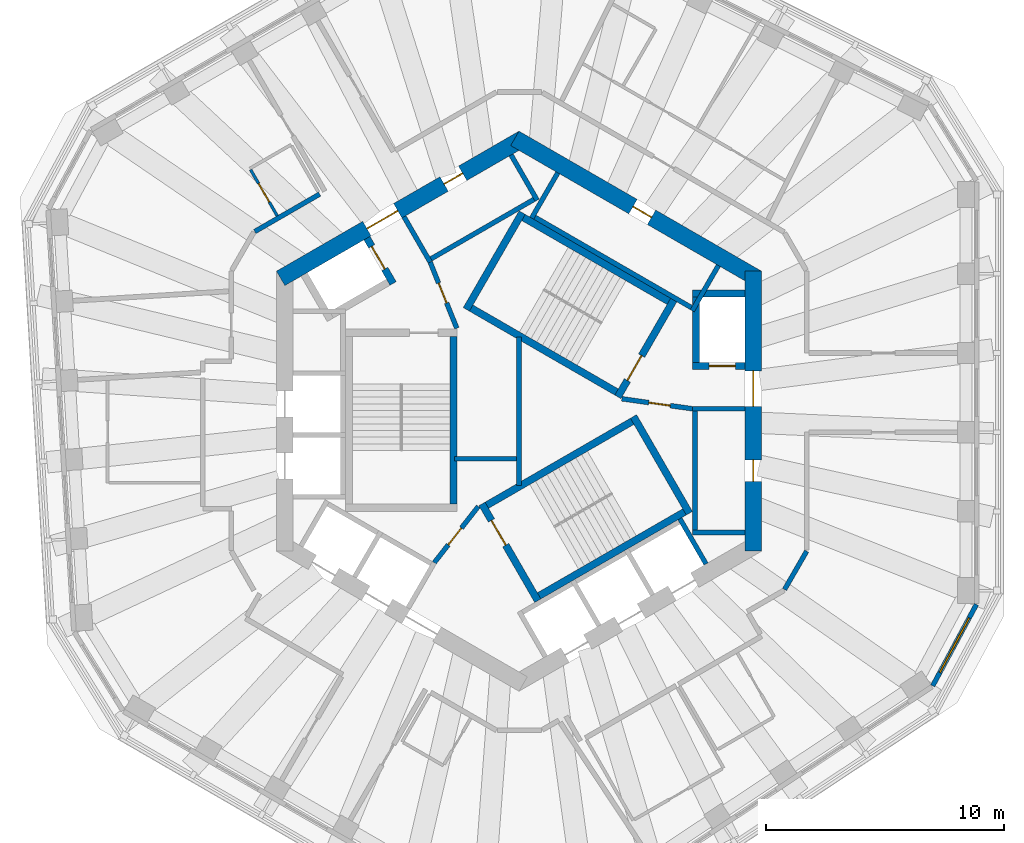
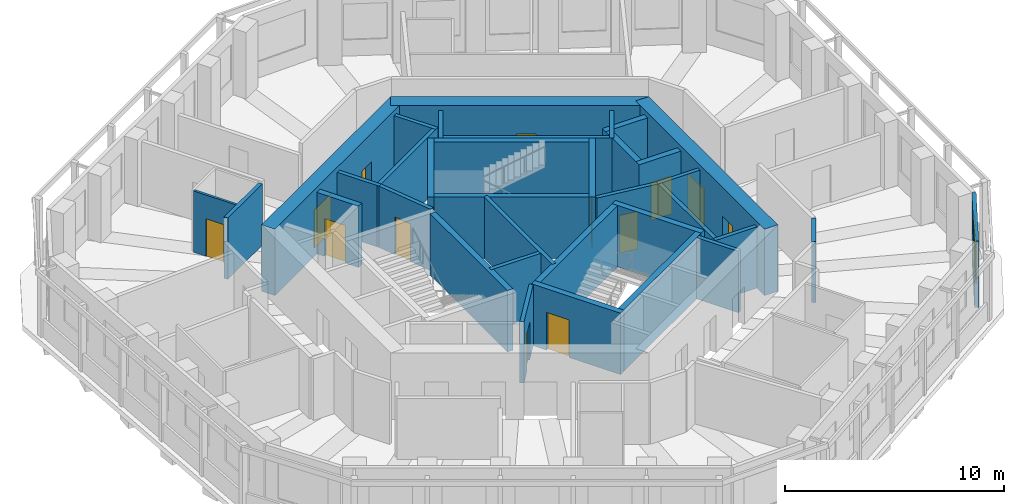
# One storey, part 6 of 11: 35 walls, 13 doors, 1 window, 14 openings.
"""IFC4 building model written with IfcOpenShell, lengths in metres."""

from ifc_helpers import new_model, si_unit, direction, frame, frame_2d, origin, place, context, subcontext, project, spatial, rectangle, extrude, material, layer, layer_set, type_object, element, fill, save


model = new_model("IFC4")

# Units and contexts
model_context = context("Model", 3, precision=1e-05, world=origin(), true_north=direction((0.0, 1.0)))
body_context = subcontext(model_context, "Body", "Model", "MODEL_VIEW")
ifc_project = project(units=[si_unit("LENGTHUNIT", "METRE"), si_unit("AREAUNIT", "SQUARE_METRE"), si_unit("VOLUMEUNIT", "CUBIC_METRE"), si_unit("PLANEANGLEUNIT", "RADIAN"), si_unit("MASSUNIT", "GRAM", prefix="KILO")], contexts=[model_context])

# Site, building, storey
site_placement = place(None, origin())
site = spatial("IfcSite", under=ifc_project, at=site_placement, CompositionType="ELEMENT")
building_placement = place(site_placement, origin())
building = spatial("IfcBuilding", under=site, at=building_placement, Name="Vanh Sen Convention Tower", CompositionType="ELEMENT")
storey_placement = place(building_placement, frame((0.0, 0.0, 259.800048828125)))
storey = spatial("IfcBuildingStorey", under=building, at=storey_placement, Name="L64", CompositionType="ELEMENT", Elevation=259.800048828125)

# Wall, opening, door
ifc_material_1 = material(Name="Moisture-resistant gypsum board on steel studs", Category="steel")
ifc_layer_1 = layer(ifc_material_1, 0.1201171875)
ifc_layer_set_1 = layer_set([ifc_layer_1], Name="Moisture-resistant gypsum board on steel studs")
wall_type_1 = type_object("IfcWallType", Name="Bathroom partition 120", PredefinedType="PARTITIONING", material=ifc_layer_set_1)
wall_1_placement = place(storey_placement, frame((-10.168701171875, 8.21630859375, 0.0), z_axis=(0.0, 0.0, 1.0), x_axis=(-0.500030632641, 0.866007717299, 0.0)))
wall_1 = element("IfcWall", 1, at=wall_1_placement, inside=storey, type_object=wall_type_1, Name="Bathroom partition 120", PredefinedType="PARTITIONING", context=body_context, shape_type="SweptSolid", body=[
    extrude(rectangle(XDim=2.239990234375, YDim=0.1201171875, at=frame_2d((1.1201171875, 0.0))), origin(), (0.0, 0.0, 1.0), 3.419921875),
])
opening_1_placement = place(wall_1_placement, frame((0.669921875, 0.0, 0.0)))
opening_1 = element("IfcOpeningElement", 2, at=opening_1_placement, cuts=wall_1, Name="Opening D64108", PredefinedType="OPENING", context=body_context, shape_type="SweptSolid", body=[
    extrude(rectangle(XDim=0.89990234375, YDim=2.10009765625, at=frame_2d((0.449951171875, 1.050048828125))), frame((0.0, 0.070068359375, 0.0), z_axis=(0.0, -1.0, 0.0), x_axis=(1.0, 0.0, 0.0)), (0.0, 0.0, 1.0), 0.14013671875),
])
ifc_material_2 = material(Name="Laminate door in steel frame", Category="steel")
door_type_1 = type_object("IfcDoorType", Name="Room internal door 900", OperationType="SINGLE_SWING_LEFT", PredefinedType="DOOR", material=ifc_material_2)
door_1_placement = place(opening_1_placement, origin())
door_1 = element("IfcDoor", 3, at=door_1_placement, inside=storey, type_object=door_type_1, Name="Internal room door D64108", OperationType="SINGLE_SWING_LEFT", OverallHeight=2.10009765625, OverallWidth=0.89990234375, PredefinedType="DOOR", context=body_context, shape_type="SweptSolid", body=[
    extrude(rectangle(XDim=0.89990234375, YDim=2.10009765625, at=frame_2d((0.449951171875, 1.050048828125))), frame((0.0, 0.02490234375, 0.0), z_axis=(0.0, -1.0, 0.0), x_axis=(1.0, 0.0, 0.0)), (0.0, 0.0, 1.0), 0.050048828125),
])
fill(opening_1, door_1)

# Wall, openings, doors
ifc_material_3 = material(Name="Concrete C60/75", Category="concrete")
ifc_layer_2 = layer(ifc_material_3, 0.699951171875)
ifc_layer_set_2 = layer_set([ifc_layer_2], Name="Concrete C60/75")
wall_type_2 = type_object("IfcWallType", Name="Core outer wall 700 C60/75", PredefinedType="SHEAR", material=ifc_layer_set_2)
wall_2_placement = place(storey_placement, frame((9.85009765625, -5.888916015625, 0.0), z_axis=(0.0, 0.0, 1.0), x_axis=(0.0, 1.0, 0.0)))
wall_2 = element("IfcWall", 4, at=wall_2_placement, inside=storey, type_object=wall_type_2, Name="Core wall face E L64", PredefinedType="SHEAR", context=body_context, shape_type="SweptSolid", body=[
    extrude(rectangle(XDim=11.77783203125, YDim=0.699951171875, at=frame_2d((5.888916015625, 0.0))), origin(), (0.0, 0.0, 1.0), 3.699951171875),
])
opening_2_placement = place(wall_2_placement, frame((6.089111328125, 0.0, 0.0)))
opening_2 = element("IfcOpeningElement", 5, at=opening_2_placement, cuts=wall_2, Name="Opening D64001", PredefinedType="OPENING", context=body_context, shape_type="SweptSolid", body=[
    extrude(rectangle(XDim=1.5, YDim=2.10009765625, at=frame_2d((0.75, 1.050048828125))), frame((0.0, 0.35986328125, 0.0), z_axis=(0.0, -1.0, 0.0), x_axis=(1.0, 0.0, 0.0)), (0.0, 0.0, 1.0), 0.719970703125),
])
opening_3_placement = place(wall_2_placement, frame((2.93896484375, 0.0, 0.0)))
opening_3 = element("IfcOpeningElement", 6, at=opening_3_placement, cuts=wall_2, Name="Opening D64010", PredefinedType="OPENING", context=body_context, shape_type="SweptSolid", body=[
    extrude(rectangle(XDim=0.89990234375, YDim=2.10009765625, at=frame_2d((0.449951171875, 1.050048828125))), frame((0.0, 0.35986328125, 0.0), z_axis=(0.0, -1.0, 0.0), x_axis=(1.0, 0.0, 0.0)), (0.0, 0.0, 1.0), 0.719970703125),
])
ifc_material_4 = material(Name="Steel S355", Category="steel")
door_type_2 = type_object("IfcDoorType", Name="Plant door 900", OperationType="SINGLE_SWING_LEFT", PredefinedType="DOOR", material=ifc_material_4)
door_2_placement = place(opening_3_placement, origin())
door_2 = element("IfcDoor", 7, at=door_2_placement, inside=storey, type_object=door_type_2, Name="Plant door D64010", OperationType="SINGLE_SWING_LEFT", OverallHeight=2.10009765625, OverallWidth=0.89990234375, PredefinedType="DOOR", context=body_context, shape_type="SweptSolid", body=[
    extrude(rectangle(XDim=0.89990234375, YDim=2.10009765625, at=frame_2d((0.449951171875, 1.050048828125))), frame((0.0, 0.02490234375, 0.0), z_axis=(0.0, -1.0, 0.0), x_axis=(1.0, 0.0, 0.0)), (0.0, 0.0, 1.0), 0.050048828125),
])
fill(opening_3, door_2)
door_type_3 = type_object("IfcDoorType", Name="Stair lobby door 1500", OperationType="DOUBLE_DOOR_SINGLE_SWING", PredefinedType="DOOR", material=ifc_material_4)
door_3_placement = place(opening_2_placement, origin())
door_3 = element("IfcDoor", 8, at=door_3_placement, inside=storey, type_object=door_type_3, Name="Stair lobby door D64001", OperationType="DOUBLE_DOOR_SINGLE_SWING", OverallHeight=2.10009765625, OverallWidth=1.5, PredefinedType="DOOR", context=body_context, shape_type="SweptSolid", body=[
    extrude(rectangle(XDim=1.5, YDim=2.10009765625, at=frame_2d((0.75, 1.050048828125))), frame((0.0, 0.02490234375, 0.0), z_axis=(0.0, -1.0, 0.0), x_axis=(1.0, 0.0, 0.0)), (0.0, 0.0, 1.0), 0.050048828125),
])
fill(opening_2, door_3)

# Wall, opening, door
wall_3_placement = place(storey_placement, frame((10.02490234375, 5.5859375, 0.0), z_axis=(0.0, 0.0, 1.0), x_axis=(-0.866026453023, 0.499998182661, 0.0)))
wall_3 = element("IfcWall", 9, at=wall_3_placement, inside=storey, type_object=wall_type_2, Name="Core wall face NE L64", PredefinedType="SHEAR", context=body_context, shape_type="SweptSolid", body=[
    extrude(rectangle(XDim=11.77783203125, YDim=0.699951171875, at=frame_2d((5.888916015625, 0.0))), origin(), (0.0, 0.0, 1.0), 3.699951171875),
])
opening_4_placement = place(wall_3_placement, frame((5.138916015625, 0.0, 0.0)))
opening_4 = element("IfcOpeningElement", 10, at=opening_4_placement, cuts=wall_3, Name="Opening D64011", PredefinedType="OPENING", context=body_context, shape_type="SweptSolid", body=[
    extrude(rectangle(XDim=0.89990234375, YDim=2.10009765625, at=frame_2d((0.449951171875, 1.050048828125))), frame((0.0, 0.35986328125, 0.0), z_axis=(0.0, -1.0, 0.0), x_axis=(1.0, 0.0, 0.0)), (0.0, 0.0, 1.0), 0.719970703125),
])
door_4_placement = place(opening_4_placement, origin())
door_4 = element("IfcDoor", 11, at=door_4_placement, inside=storey, type_object=door_type_2, Name="Plant door D64011", OperationType="SINGLE_SWING_LEFT", OverallHeight=2.10009765625, OverallWidth=0.89990234375, PredefinedType="DOOR", context=body_context, shape_type="SweptSolid", body=[
    extrude(rectangle(XDim=0.89990234375, YDim=2.10009765625, at=frame_2d((0.449951171875, 1.050048828125))), frame((0.0, 0.02490234375, 0.0), z_axis=(0.0, -1.0, 0.0), x_axis=(1.0, 0.0, 0.0)), (0.0, 0.0, 1.0), 0.050048828125),
])
fill(opening_4, door_4)

# Wall, openings, doors
wall_4_placement = place(storey_placement, frame((0.175048828125, 11.474853515625, 0.0), z_axis=(0.0, 0.0, 1.0), x_axis=(-0.866026453023, -0.499998182661, 0.0)))
wall_4 = element("IfcWall", 12, at=wall_4_placement, inside=storey, type_object=wall_type_2, Name="Core wall face NW L64", PredefinedType="SHEAR", context=body_context, shape_type="SweptSolid", body=[
    extrude(rectangle(XDim=11.77783203125, YDim=0.699951171875, at=frame_2d((5.888916015625, 0.0))), origin(), (0.0, 0.0, 1.0), 3.699951171875),
])
opening_5_placement = place(wall_4_placement, frame((6.089111328125, 0.0, 0.0)))
opening_5 = element("IfcOpeningElement", 13, at=opening_5_placement, cuts=wall_4, Name="Opening D64002", PredefinedType="OPENING", context=body_context, shape_type="SweptSolid", body=[
    extrude(rectangle(XDim=1.5, YDim=2.10009765625, at=frame_2d((0.75, 1.050048828125))), frame((0.0, 0.35986328125, 0.0), z_axis=(0.0, -1.0, 0.0), x_axis=(1.0, 0.0, 0.0)), (0.0, 0.0, 1.0), 0.719970703125),
])
opening_6_placement = place(wall_4_placement, frame((2.93896484375, 0.0, 0.0)))
opening_6 = element("IfcOpeningElement", 14, at=opening_6_placement, cuts=wall_4, Name="Opening D64012", PredefinedType="OPENING", context=body_context, shape_type="SweptSolid", body=[
    extrude(rectangle(XDim=0.89990234375, YDim=2.10009765625, at=frame_2d((0.449951171875, 1.050048828125))), frame((0.0, 0.35986328125, 0.0), z_axis=(0.0, -1.0, 0.0), x_axis=(1.0, 0.0, 0.0)), (0.0, 0.0, 1.0), 0.719970703125),
])
door_5_placement = place(opening_6_placement, origin())
door_5 = element("IfcDoor", 15, at=door_5_placement, inside=storey, type_object=door_type_2, Name="Plant door D64012", OperationType="SINGLE_SWING_LEFT", OverallHeight=2.10009765625, OverallWidth=0.89990234375, PredefinedType="DOOR", context=body_context, shape_type="SweptSolid", body=[
    extrude(rectangle(XDim=0.89990234375, YDim=2.10009765625, at=frame_2d((0.449951171875, 1.050048828125))), frame((0.0, 0.02490234375, 0.0), z_axis=(0.0, -1.0, 0.0), x_axis=(1.0, 0.0, 0.0)), (0.0, 0.0, 1.0), 0.050048828125),
])
fill(opening_6, door_5)
door_6_placement = place(opening_5_placement, origin())
door_6 = element("IfcDoor", 16, at=door_6_placement, inside=storey, type_object=door_type_3, Name="Stair lobby door D64002", OperationType="DOUBLE_DOOR_SINGLE_SWING", OverallHeight=2.10009765625, OverallWidth=1.5, PredefinedType="DOOR", context=body_context, shape_type="SweptSolid", body=[
    extrude(rectangle(XDim=1.5, YDim=2.10009765625, at=frame_2d((0.75, 1.050048828125))), frame((0.0, 0.02490234375, 0.0), z_axis=(0.0, -1.0, 0.0), x_axis=(1.0, 0.0, 0.0)), (0.0, 0.0, 1.0), 0.050048828125),
])
fill(opening_5, door_6)

# Walls
ifc_material_5 = material(Name="Masonry blockwork", Category="masonry")
ifc_layer_3 = layer(ifc_material_5, 0.199951171875)
ifc_layer_set_3 = layer_set([ifc_layer_3], Name="Masonry blockwork")
wall_type_3 = type_object("IfcWallType", Name="Core partition 200", PredefinedType="PARTITIONING", material=ifc_layer_set_3)
wall_5_placement = place(storey_placement, frame((-2.719970703125, -2.0, 0.0), z_axis=(0.0, 0.0, 1.0), x_axis=(1.0, 0.0, 0.0)))
element("IfcWall", 17, at=wall_5_placement, inside=storey, type_object=wall_type_3, Name="Core partition L64", PredefinedType="PARTITIONING", context=body_context, shape_type="SweptSolid", body=[
    extrude(rectangle(XDim=2.619873046875, YDim=0.199951171875, at=frame_2d((1.31005859375, 0.0))), origin(), (0.0, 0.0, 1.0), 3.419921875),
])
wall_6_placement = place(storey_placement, frame((0.0, -3.122314453125, 0.0), z_axis=(0.0, 0.0, 1.0), x_axis=(0.0, 1.0, 0.0)))
element("IfcWall", 18, at=wall_6_placement, inside=storey, type_object=wall_type_3, Name="Core partition L64", PredefinedType="PARTITIONING", context=body_context, shape_type="SweptSolid", body=[
    extrude(rectangle(XDim=6.24462890625, YDim=0.199951171875, at=frame_2d((3.122314453125, 0.0))), origin(), (0.0, 0.0, 1.0), 3.419921875),
])
ifc_material_6 = material(Name="Gypsum board on steel studs with mineral wool", Category="steel")
ifc_layer_4 = layer(ifc_material_6, 0.199951171875)
ifc_layer_set_4 = layer_set([ifc_layer_4], Name="Gypsum board on steel studs with mineral wool")
wall_type_4 = type_object("IfcWallType", Name="Corridor partition wall 200", PredefinedType="PARTITIONING", material=ifc_layer_set_4)
wall_7_placement = place(storey_placement, frame((-8.38671875, 9.1298828125, 0.0), z_axis=(0.0, 0.0, 1.0), x_axis=(-0.866026878644, -0.499997445459, 0.0)))
element("IfcWall", 19, at=wall_7_placement, inside=storey, type_object=wall_type_4, Name="Corridor partition wall 200", PredefinedType="PARTITIONING", context=body_context, shape_type="SweptSolid", body=[
    extrude(rectangle(XDim=3.15087890625, YDim=0.199951171875, at=frame_2d((1.575439453125, 0.0))), origin(), (0.0, 0.0, 1.0), 3.419921875),
])
wall_8_placement = place(storey_placement, frame((11.169921875, -7.5, 0.0), z_axis=(0.0, 0.0, 1.0), x_axis=(0.500006454166, 0.866021677438, 0.0)))
element("IfcWall", 20, at=wall_8_placement, inside=storey, type_object=wall_type_4, Name="Corridor partition wall 200", PredefinedType="PARTITIONING", context=body_context, shape_type="SweptSolid", body=[
    extrude(rectangle(XDim=1.8603515625, YDim=0.199951171875, at=frame_2d((0.93017578125, 0.0))), origin(), (0.0, 0.0, 1.0), 3.419921875),
])

# Wall, opening, window
ifc_material_7 = material(Name="Insulated lightweight infill wall")
ifc_layer_5 = layer(ifc_material_7, 0.199951171875)
ifc_layer_set_5 = layer_set([ifc_layer_5], Name="Insulated lightweight infill wall")
wall_type_5 = type_object("IfcWallType", Name="External wall 200", PredefinedType="STANDARD", material=ifc_layer_set_5)
wall_9_placement = place(storey_placement, frame((17.39892578125, -11.55419921875, 0.0), z_axis=(0.0, 0.0, 1.0), x_axis=(0.473309051311, 0.880896442238, 0.0)))
wall_9 = element("IfcWall", 21, at=wall_9_placement, inside=storey, type_object=wall_type_5, Name="External wall CH6 L64", PredefinedType="STANDARD", context=body_context, shape_type="SweptSolid", body=[
    extrude(rectangle(XDim=3.8857421875, YDim=0.199951171875, at=frame_2d((1.94287109375, 0.0))), origin(), (0.0, 0.0, 1.0), 3.699951171875),
])
opening_7_placement = place(wall_9_placement, frame((0.642822265625, 0.0, 0.89990234375)))
opening_7 = element("IfcOpeningElement", 22, at=opening_7_placement, cuts=wall_9, Name="Opening WO6-CH61", PredefinedType="OPENING", context=body_context, shape_type="SweptSolid", body=[
    extrude(rectangle(XDim=2.60009765625, YDim=2.0, at=frame_2d((1.300048828125, 1.0))), frame((0.0, 0.10986328125, 0.0), z_axis=(0.0, -1.0, 0.0), x_axis=(1.0, 0.0, 0.0)), (0.0, 0.0, 1.0), 0.219970703125),
])
ifc_material_8 = material(Name="Aluminium frame with clear low-emissivity glass", Category="aluminium")
window_type = type_object("IfcWindowType", Name="Office window 2600 x 2000", PartitioningType="SINGLE_PANEL", PredefinedType="WINDOW", material=ifc_material_8)
window_placement = place(opening_7_placement, origin())
window = element("IfcWindow", 23, at=window_placement, inside=storey, type_object=window_type, Name="Window WO6-CH61", OverallHeight=2.0, OverallWidth=2.60009765625, PartitioningType="SINGLE_PANEL", PredefinedType="WINDOW", context=body_context, shape_type="SweptSolid", body=[
    extrude(rectangle(XDim=2.60009765625, YDim=2.0, at=frame_2d((1.300048828125, 1.0))), frame((0.0, 0.030029296875, 0.0), z_axis=(0.0, -1.0, 0.0), x_axis=(1.0, 0.0, 0.0)), (0.0, 0.0, 1.0), 0.06005859375),
])
fill(opening_7, window)

# Wall, opening, door
ifc_layer_6 = layer(ifc_material_3, 0.300048828125)
ifc_layer_set_6 = layer_set([ifc_layer_6], Name="Concrete C60/75")
wall_type_6 = type_object("IfcWallType", Name="Fire-fighting lift shaft wall 300", PredefinedType="SHEAR", material=ifc_layer_set_6)
wall_10_placement = place(storey_placement, frame((7.300048828125, 1.89990234375, 0.0), z_axis=(0.0, 0.0, 1.0), x_axis=(1.0, 0.0, 0.0)))
wall_10 = element("IfcWall", 24, at=wall_10_placement, inside=storey, type_object=wall_type_6, Name="Fire-fighting lift shaft wall L64", PredefinedType="SHEAR", context=body_context, shape_type="SweptSolid", body=[
    extrude(rectangle(XDim=2.199951171875, YDim=0.300048828125, at=frame_2d((1.10009765625, 0.0))), origin(), (0.0, 0.0, 1.0), 3.419921875),
])
opening_8_placement = place(wall_10_placement, frame((0.699951171875, 0.0, 0.0)))
opening_8 = element("IfcOpeningElement", 25, at=opening_8_placement, cuts=wall_10, Name="Opening LD-FF1", PredefinedType="OPENING", context=body_context, shape_type="SweptSolid", body=[
    extrude(rectangle(XDim=1.10009765625, YDim=2.10009765625, at=frame_2d((0.550048828125, 1.050048828125))), frame((0.0, 0.159912109375, 0.0), z_axis=(0.0, -1.0, 0.0), x_axis=(1.0, 0.0, 0.0)), (0.0, 0.0, 1.0), 0.320068359375),
])
ifc_material_9 = material(Name="Stainless steel", Category="steel")
door_type_4 = type_object("IfcDoorType", Name="Fire-fighting lift landing door 1100", OperationType="DOUBLE_DOOR_SLIDING", PredefinedType="DOOR", material=ifc_material_9)
door_7_placement = place(opening_8_placement, origin())
door_7 = element("IfcDoor", 26, at=door_7_placement, inside=storey, type_object=door_type_4, Name="Lift FF1 landing door LD-FF1", OperationType="DOUBLE_DOOR_SLIDING", OverallHeight=2.10009765625, OverallWidth=1.10009765625, PredefinedType="DOOR", context=body_context, shape_type="SweptSolid", body=[
    extrude(rectangle(XDim=1.10009765625, YDim=2.10009765625, at=frame_2d((0.550048828125, 1.050048828125))), frame((0.0, 0.02490234375, 0.0), z_axis=(0.0, -1.0, 0.0), x_axis=(1.0, 0.0, 0.0)), (0.0, 0.0, 1.0), 0.050048828125),
])
fill(opening_8, door_7)

# Walls
wall_11_placement = place(storey_placement, frame((7.449951171875, 1.75, 0.0), z_axis=(0.0, 0.0, 1.0), x_axis=(0.0, 1.0, 0.0)))
element("IfcWall", 27, at=wall_11_placement, inside=storey, type_object=wall_type_6, Name="Fire-fighting lift shaft wall L64", PredefinedType="SHEAR", context=body_context, shape_type="SweptSolid", body=[
    extrude(rectangle(XDim=3.35009765625, YDim=0.300048828125, at=frame_2d((1.675048828125, 0.0))), origin(), (0.0, 0.0, 1.0), 3.419921875),
])
wall_12_placement = place(storey_placement, frame((7.300048828125, 4.949951171875, 0.0), z_axis=(0.0, 0.0, 1.0), x_axis=(1.0, 0.0, 0.0)))
element("IfcWall", 28, at=wall_12_placement, inside=storey, type_object=wall_type_6, Name="Fire-fighting lift shaft wall L64", PredefinedType="SHEAR", context=body_context, shape_type="SweptSolid", body=[
    extrude(rectangle(XDim=2.199951171875, YDim=0.300048828125, at=frame_2d((1.10009765625, 0.0))), origin(), (0.0, 0.0, 1.0), 3.419921875),
])

# Wall, opening, door
wall_13_placement = place(storey_placement, frame((-5.29541015625, 5.3720703125, 0.0), z_axis=(0.0, 0.0, 1.0), x_axis=(-0.500077893725, 0.86598042715, 0.0)))
wall_13 = element("IfcWall", 29, at=wall_13_placement, inside=storey, type_object=wall_type_6, Name="Fire-fighting lift shaft wall L64", PredefinedType="SHEAR", context=body_context, shape_type="SweptSolid", body=[
    extrude(rectangle(XDim=2.199951171875, YDim=0.300048828125, at=frame_2d((1.10009765625, 0.0))), origin(), (0.0, 0.0, 1.0), 3.419921875),
])
opening_9_placement = place(wall_13_placement, frame((0.699951171875, 0.0, 0.0)))
opening_9 = element("IfcOpeningElement", 30, at=opening_9_placement, cuts=wall_13, Name="Opening LD-FF2", PredefinedType="OPENING", context=body_context, shape_type="SweptSolid", body=[
    extrude(rectangle(XDim=1.10009765625, YDim=2.10009765625, at=frame_2d((0.550048828125, 1.050048828125))), frame((0.0, 0.159912109375, 0.0), z_axis=(0.0, -1.0, 0.0), x_axis=(1.0, 0.0, 0.0)), (0.0, 0.0, 1.0), 0.320068359375),
])
door_8_placement = place(opening_9_placement, origin())
door_8 = element("IfcDoor", 31, at=door_8_placement, inside=storey, type_object=door_type_4, Name="Lift FF2 landing door LD-FF2", OperationType="DOUBLE_DOOR_SLIDING", OverallHeight=2.10009765625, OverallWidth=1.10009765625, PredefinedType="DOOR", context=body_context, shape_type="SweptSolid", body=[
    extrude(rectangle(XDim=1.10009765625, YDim=2.10009765625, at=frame_2d((0.550048828125, 1.050048828125))), frame((0.0, 0.02490234375, 0.0), z_axis=(0.0, -1.0, 0.0), x_axis=(1.0, 0.0, 0.0)), (0.0, 0.0, 1.0), 0.050048828125),
])
fill(opening_9, door_8)

# Walls
ifc_material_10 = material(Name="Concrete C40/50", Category="concrete")
ifc_layer_7 = layer(ifc_material_10, 0.199951171875)
ifc_layer_set_7 = layer_set([ifc_layer_7], Name="Concrete C40/50")
wall_type_7 = type_object("IfcWallType", Name="Lift shaft wall 200", PredefinedType="PARTITIONING", material=ifc_layer_set_7)
wall_14_placement = place(storey_placement, frame((7.39990234375, -5.199951171875, 0.0), z_axis=(0.0, 0.0, 1.0), x_axis=(0.0, 1.0, 0.0)))
element("IfcWall", 32, at=wall_14_placement, inside=storey, type_object=wall_type_7, Name="Lift shaft wall L64", PredefinedType="PARTITIONING", context=body_context, shape_type="SweptSolid", body=[
    extrude(rectangle(XDim=5.39990234375, YDim=0.199951171875, at=frame_2d((2.699951171875, 0.0))), origin(), (0.0, 0.0, 1.0), 3.419921875),
])
for number, where, z_axis, x_axis, name in (
    (33, (7.300048828125, -5.10009765625, 0.0), (0.0, 0.0, 1.0), (1.0, 0.0, 0.0), "Lift shaft wall L64"),
    (34, (7.300048828125, 0.10009765625, 0.0), (0.0, 0.0, 1.0), (1.0, 0.0, 0.0), "Lift shaft wall L64"),
):
    element("IfcWall", number, at=place(storey_placement, frame(where, z_axis=z_axis, x_axis=x_axis)), inside=storey, type_object=wall_type_7, Name=name, PredefinedType="PARTITIONING", context=body_context, shape_type="SweptSolid", body=[
        extrude(rectangle(XDim=2.199951171875, YDim=0.199951171875, at=frame_2d((1.10009765625, 0.0))), origin(), (0.0, 0.0, 1.0), 3.419921875),
    ])
wall_15_placement = place(storey_placement, frame((7.423828125, 4.258544921875, 0.0), z_axis=(0.0, 0.0, 1.0), x_axis=(-0.866026010844, 0.49999894854, 0.0)))
element("IfcWall", 35, at=wall_15_placement, inside=storey, type_object=wall_type_7, Name="Lift shaft wall L64", PredefinedType="PARTITIONING", context=body_context, shape_type="SweptSolid", body=[
    extrude(rectangle(XDim=8.0, YDim=0.199951171875, at=frame_2d((4.0, 0.0))), origin(), (0.0, 0.0, 1.0), 3.419921875),
])
for number, where, z_axis, x_axis, name in (
    (36, (7.287353515625, 4.221923828125, 0.0), (0.0, 0.0, 1.0), (0.499946605688, 0.86605622881, 0.0), "Lift shaft wall L64"),
    (37, (0.5322265625, 8.1220703125, 0.0), (0.0, 0.0, 1.0), (0.500077893725, 0.86598042715, 0.0), "Lift shaft wall L64"),
):
    element("IfcWall", number, at=place(storey_placement, frame(where, z_axis=z_axis, x_axis=x_axis)), inside=storey, type_object=wall_type_7, Name=name, PredefinedType="PARTITIONING", context=body_context, shape_type="SweptSolid", body=[
        extrude(rectangle(XDim=2.199951171875, YDim=0.199951171875, at=frame_2d((1.10009765625, 0.0))), origin(), (0.0, 0.0, 1.0), 3.419921875),
    ])
wall_16_placement = place(storey_placement, frame((0.80322265625, 9.008544921875, 0.0), z_axis=(0.0, 0.0, 1.0), x_axis=(-0.866028230842, -0.499995103361, 0.0)))
element("IfcWall", 38, at=wall_16_placement, inside=storey, type_object=wall_type_7, Name="Lift shaft wall L64", PredefinedType="PARTITIONING", context=body_context, shape_type="SweptSolid", body=[
    extrude(rectangle(XDim=5.39990234375, YDim=0.199951171875, at=frame_2d((2.699951171875, 0.0))), origin(), (0.0, 0.0, 1.0), 3.419921875),
])
wall_17_placement = place(storey_placement, frame((0.7666015625, 8.8720703125, 0.0), z_axis=(0.0, 0.0, 1.0), x_axis=(-0.499994660107, 0.866028486751, 0.0)))
element("IfcWall", 39, at=wall_17_placement, inside=storey, type_object=wall_type_7, Name="Lift shaft wall L64", PredefinedType="PARTITIONING", context=body_context, shape_type="SweptSolid", body=[
    extrude(rectangle(XDim=2.19970703125, YDim=0.199951171875, at=frame_2d((1.099853515625, 0.0))), origin(), (0.0, 0.0, 1.0), 3.419921875),
])
for number, where, z_axis, x_axis, name in (
    (40, (-3.736572265625, 6.27197265625, 0.0), (0.0, 0.0, 1.0), (-0.50002983664, 0.866008176907, 0.0), "Lift shaft wall L64"),
    (41, (6.767578125, -4.52197265625, 0.0), (0.0, 0.0, 1.0), (0.50002983664, -0.866008176907, 0.0), "Lift shaft wall L64"),
):
    element("IfcWall", number, at=place(storey_placement, frame(where, z_axis=z_axis, x_axis=x_axis)), inside=storey, type_object=wall_type_7, Name=name, PredefinedType="PARTITIONING", context=body_context, shape_type="SweptSolid", body=[
        extrude(rectangle(XDim=2.199951171875, YDim=0.199951171875, at=frame_2d((1.10009765625, 0.0))), origin(), (0.0, 0.0, 1.0), 3.419921875),
    ])

# Wall, opening, door
ifc_layer_8 = layer(ifc_material_10, 0.199951171875)
ifc_layer_set_8 = layer_set([ifc_layer_8], Name="Concrete C40/50")
wall_type_8 = type_object("IfcWallType", Name="Stair lobby wall 200", PredefinedType="PARTITIONING", material=ifc_layer_set_8)
wall_18_placement = place(storey_placement, frame((4.327392578125, 0.52099609375, 0.0), z_axis=(0.0, 0.0, 1.0), x_axis=(0.990124376366, -0.14019172346, 0.0)))
wall_18 = element("IfcWall", 42, at=wall_18_placement, inside=storey, type_object=wall_type_8, Name="Stair lobby wall L64", PredefinedType="PARTITIONING", context=body_context, shape_type="SweptSolid", body=[
    extrude(rectangle(XDim=3.002197265625, YDim=0.199951171875, at=frame_2d((1.5009765625, 0.0))), origin(), (0.0, 0.0, 1.0), 3.419921875),
])
opening_10_placement = place(wall_18_placement, frame((1.14990234375, 0.0, 0.0)))
opening_10 = element("IfcOpeningElement", 43, at=opening_10_placement, cuts=wall_18, Name="Opening D64007", PredefinedType="OPENING", context=body_context, shape_type="SweptSolid", body=[
    extrude(rectangle(XDim=0.89990234375, YDim=2.10009765625, at=frame_2d((0.449951171875, 1.050048828125))), frame((0.0, 0.10986328125, 0.0), z_axis=(0.0, -1.0, 0.0), x_axis=(1.0, 0.0, 0.0)), (0.0, 0.0, 1.0), 0.219970703125),
])
door_9_placement = place(opening_10_placement, origin())
door_9 = element("IfcDoor", 44, at=door_9_placement, inside=storey, type_object=door_type_2, Name="Plant door D64007", OperationType="SINGLE_SWING_LEFT", OverallHeight=2.10009765625, OverallWidth=0.89990234375, PredefinedType="DOOR", context=body_context, shape_type="SweptSolid", body=[
    extrude(rectangle(XDim=0.89990234375, YDim=2.10009765625, at=frame_2d((0.449951171875, 1.050048828125))), frame((0.0, 0.02490234375, 0.0), z_axis=(0.0, -1.0, 0.0), x_axis=(1.0, 0.0, 0.0)), (0.0, 0.0, 1.0), 0.050048828125),
])
fill(opening_10, door_9)

wall_19_placement = place(storey_placement, frame((-2.614990234375, 3.487060546875, 0.0), z_axis=(0.0, 0.0, 1.0), x_axis=(-0.373576831041, 0.92759924068, 0.0)))
wall_19 = element("IfcWall", 45, at=wall_19_placement, inside=storey, type_object=wall_type_8, Name="Stair lobby wall L64", PredefinedType="PARTITIONING", context=body_context, shape_type="SweptSolid", body=[
    extrude(rectangle(XDim=3.002197265625, YDim=0.199951171875, at=frame_2d((1.5009765625, 0.0))), origin(), (0.0, 0.0, 1.0), 3.419921875),
])
opening_11_placement = place(wall_19_placement, frame((1.14990234375, 0.0, 0.0)))
opening_11 = element("IfcOpeningElement", 46, at=opening_11_placement, cuts=wall_19, Name="Opening D64008", PredefinedType="OPENING", context=body_context, shape_type="SweptSolid", body=[
    extrude(rectangle(XDim=0.89990234375, YDim=2.10009765625, at=frame_2d((0.449951171875, 1.050048828125))), frame((0.0, 0.10986328125, 0.0), z_axis=(0.0, -1.0, 0.0), x_axis=(1.0, 0.0, 0.0)), (0.0, 0.0, 1.0), 0.219970703125),
])
door_10_placement = place(opening_11_placement, origin())
door_10 = element("IfcDoor", 47, at=door_10_placement, inside=storey, type_object=door_type_2, Name="Plant door D64008", OperationType="SINGLE_SWING_LEFT", OverallHeight=2.10009765625, OverallWidth=0.89990234375, PredefinedType="DOOR", context=body_context, shape_type="SweptSolid", body=[
    extrude(rectangle(XDim=0.89990234375, YDim=2.10009765625, at=frame_2d((0.449951171875, 1.050048828125))), frame((0.0, 0.02490234375, 0.0), z_axis=(0.0, -1.0, 0.0), x_axis=(1.0, 0.0, 0.0)), (0.0, 0.0, 1.0), 0.050048828125),
])
fill(opening_11, door_10)

wall_20_placement = place(storey_placement, frame((-1.71240234375, -4.00830078125, 0.0), z_axis=(0.0, 0.0, 1.0), x_axis=(-0.616549420702, -0.787316208287, 0.0)))
wall_20 = element("IfcWall", 48, at=wall_20_placement, inside=storey, type_object=wall_type_8, Name="Stair lobby wall L64", PredefinedType="PARTITIONING", context=body_context, shape_type="SweptSolid", body=[
    extrude(rectangle(XDim=3.002197265625, YDim=0.199951171875, at=frame_2d((1.5009765625, 0.0))), origin(), (0.0, 0.0, 1.0), 3.419921875),
])
opening_12_placement = place(wall_20_placement, frame((1.14990234375, 0.0, 0.0)))
opening_12 = element("IfcOpeningElement", 49, at=opening_12_placement, cuts=wall_20, Name="Opening D64009", PredefinedType="OPENING", context=body_context, shape_type="SweptSolid", body=[
    extrude(rectangle(XDim=0.89990234375, YDim=2.10009765625, at=frame_2d((0.449951171875, 1.050048828125))), frame((0.0, 0.10986328125, 0.0), z_axis=(0.0, -1.0, 0.0), x_axis=(1.0, 0.0, 0.0)), (0.0, 0.0, 1.0), 0.219970703125),
])
door_11_placement = place(opening_12_placement, origin())
door_11 = element("IfcDoor", 50, at=door_11_placement, inside=storey, type_object=door_type_2, Name="Plant door D64009", OperationType="SINGLE_SWING_LEFT", OverallHeight=2.10009765625, OverallWidth=0.89990234375, PredefinedType="DOOR", context=body_context, shape_type="SweptSolid", body=[
    extrude(rectangle(XDim=0.89990234375, YDim=2.10009765625, at=frame_2d((0.449951171875, 1.050048828125))), frame((0.0, 0.02490234375, 0.0), z_axis=(0.0, -1.0, 0.0), x_axis=(1.0, 0.0, 0.0)), (0.0, 0.0, 1.0), 0.050048828125),
])
fill(opening_12, door_11)

ifc_layer_9 = layer(ifc_material_3, 0.300048828125)
ifc_layer_set_9 = layer_set([ifc_layer_9], Name="Concrete C60/75")
wall_type_9 = type_object("IfcWallType", Name="Stair wall 300", PredefinedType="SHEAR", material=ifc_layer_set_9)
wall_21_placement = place(storey_placement, frame((4.157958984375, 0.601806640625, 0.0), z_axis=(0.0, 0.0, 1.0), x_axis=(0.499977259774, 0.866038532462, 0.0)))
wall_21 = element("IfcWall", 51, at=wall_21_placement, inside=storey, type_object=wall_type_9, Name="Stair wall L64", PredefinedType="SHEAR", context=body_context, shape_type="SweptSolid", body=[
    extrude(rectangle(XDim=4.699951171875, YDim=0.300048828125, at=frame_2d((2.35009765625, 0.0))), origin(), (0.0, 0.0, 1.0), 3.419921875),
])
opening_13_placement = place(wall_21_placement, frame((0.800048828125, 0.0, 0.0)))
opening_13 = element("IfcOpeningElement", 52, at=opening_13_placement, cuts=wall_21, Name="Opening D64004", PredefinedType="OPENING", context=body_context, shape_type="SweptSolid", body=[
    extrude(rectangle(XDim=1.199951171875, YDim=2.10009765625, at=frame_2d((0.60009765625, 1.050048828125))), frame((0.0, 0.159912109375, 0.0), z_axis=(0.0, -1.0, 0.0), x_axis=(1.0, 0.0, 0.0)), (0.0, 0.0, 1.0), 0.320068359375),
])
door_type_5 = type_object("IfcDoorType", Name="Stair door 1200", OperationType="SINGLE_SWING_RIGHT", PredefinedType="DOOR", material=ifc_material_4)
door_12_placement = place(opening_13_placement, origin())
door_12 = element("IfcDoor", 53, at=door_12_placement, inside=storey, type_object=door_type_5, Name="Stair ST1 door D64004", OperationType="SINGLE_SWING_RIGHT", OverallHeight=2.10009765625, OverallWidth=1.199951171875, PredefinedType="DOOR", context=body_context, shape_type="SweptSolid", body=[
    extrude(rectangle(XDim=1.199951171875, YDim=2.10009765625, at=frame_2d((0.60009765625, 1.050048828125))), frame((0.0, 0.02490234375, 0.0), z_axis=(0.0, -1.0, 0.0), x_axis=(1.0, 0.0, 0.0)), (0.0, 0.0, 1.0), 0.050048828125),
])
fill(opening_13, door_12)

# Walls
wall_22_placement = place(storey_placement, frame((-2.216064453125, 4.28173828125, 0.0), z_axis=(0.0, 0.0, 1.0), x_axis=(0.499977259774, 0.866038532462, 0.0)))
element("IfcWall", 54, at=wall_22_placement, inside=storey, type_object=wall_type_9, Name="Stair wall L64", PredefinedType="SHEAR", context=body_context, shape_type="SweptSolid", body=[
    extrude(rectangle(XDim=4.699951171875, YDim=0.300048828125, at=frame_2d((2.35009765625, 0.0))), origin(), (0.0, 0.0, 1.0), 3.419921875),
])
for number, where, z_axis, x_axis, name in (
    (55, (4.10302734375, 0.806640625, 0.0), (0.0, 0.0, 1.0), (-0.866027801685, 0.499995846692, 0.0), "Stair wall L64"),
    (56, (6.302978515625, 4.6171875, 0.0), (0.0, 0.0, 1.0), (-0.866027801685, 0.499995846692, 0.0), "Stair wall L64"),
):
    element("IfcWall", number, at=place(storey_placement, frame(where, z_axis=z_axis, x_axis=x_axis)), inside=storey, type_object=wall_type_9, Name=name, PredefinedType="SHEAR", context=body_context, shape_type="SweptSolid", body=[
        extrude(rectangle(XDim=7.06005859375, YDim=0.300048828125, at=frame_2d((3.530029296875, 0.0))), origin(), (0.0, 0.0, 1.0), 3.419921875),
    ])
wall_23_placement = place(storey_placement, frame((-2.75, 3.14990234375, 0.0), z_axis=(0.0, 0.0, 1.0), x_axis=(0.0, -1.0, 0.0)))
element("IfcWall", 57, at=wall_23_placement, inside=storey, type_object=wall_type_9, Name="Stair wall L64", PredefinedType="SHEAR", context=body_context, shape_type="SweptSolid", body=[
    extrude(rectangle(XDim=7.059814453125, YDim=0.300048828125, at=frame_2d((3.52978515625, 0.0))), origin(), (0.0, 0.0, 1.0), 3.419921875),
])

# Wall, opening, door
wall_24_placement = place(storey_placement, frame((-1.557861328125, -3.901611328125, 0.0), z_axis=(0.0, 0.0, 1.0), x_axis=(0.499977259774, -0.866038532462, 0.0)))
wall_24 = element("IfcWall", 58, at=wall_24_placement, inside=storey, type_object=wall_type_9, Name="Stair wall L64", PredefinedType="SHEAR", context=body_context, shape_type="SweptSolid", body=[
    extrude(rectangle(XDim=4.699951171875, YDim=0.300048828125, at=frame_2d((2.35009765625, 0.0))), origin(), (0.0, 0.0, 1.0), 3.419921875),
])
opening_14_placement = place(wall_24_placement, frame((0.800048828125, 0.0, 0.0)))
opening_14 = element("IfcOpeningElement", 59, at=opening_14_placement, cuts=wall_24, Name="Opening D64006", PredefinedType="OPENING", context=body_context, shape_type="SweptSolid", body=[
    extrude(rectangle(XDim=1.199951171875, YDim=2.10009765625, at=frame_2d((0.60009765625, 1.050048828125))), frame((0.0, 0.159912109375, 0.0), z_axis=(0.0, -1.0, 0.0), x_axis=(1.0, 0.0, 0.0)), (0.0, 0.0, 1.0), 0.320068359375),
])
door_13_placement = place(opening_14_placement, origin())
door_13 = element("IfcDoor", 60, at=door_13_placement, inside=storey, type_object=door_type_5, Name="Stair ST3 door D64006", OperationType="SINGLE_SWING_RIGHT", OverallHeight=2.10009765625, OverallWidth=1.199951171875, PredefinedType="DOOR", context=body_context, shape_type="SweptSolid", body=[
    extrude(rectangle(XDim=1.199951171875, YDim=2.10009765625, at=frame_2d((0.60009765625, 1.050048828125))), frame((0.0, 0.02490234375, 0.0), z_axis=(0.0, -1.0, 0.0), x_axis=(1.0, 0.0, 0.0)), (0.0, 0.0, 1.0), 0.050048828125),
])
fill(opening_14, door_13)

# Walls
wall_25_placement = place(storey_placement, frame((4.816162109375, -0.2216796875, 0.0), z_axis=(0.0, 0.0, 1.0), x_axis=(0.499977259774, -0.866038532462, 0.0)))
element("IfcWall", 61, at=wall_25_placement, inside=storey, type_object=wall_type_9, Name="Stair wall L64", PredefinedType="SHEAR", context=body_context, shape_type="SweptSolid", body=[
    extrude(rectangle(XDim=4.699951171875, YDim=0.300048828125, at=frame_2d((2.35009765625, 0.0))), origin(), (0.0, 0.0, 1.0), 3.419921875),
])
for number, where, z_axis, x_axis, name in (
    (62, (-1.35302734375, -3.95654296875, 0.0), (0.0, 0.0, 1.0), (0.866027801685, 0.499995846692, 0.0), "Stair wall L64"),
    (63, (0.846923828125, -7.76708984375, 0.0), (0.0, 0.0, 1.0), (0.866027801685, 0.499995846692, 0.0), "Stair wall L64"),
):
    element("IfcWall", number, at=place(storey_placement, frame(where, z_axis=z_axis, x_axis=x_axis)), inside=storey, type_object=wall_type_9, Name=name, PredefinedType="SHEAR", context=body_context, shape_type="SweptSolid", body=[
        extrude(rectangle(XDim=7.06005859375, YDim=0.300048828125, at=frame_2d((3.530029296875, 0.0))), origin(), (0.0, 0.0, 1.0), 3.419921875),
    ])

save(model, "model.ifc")
